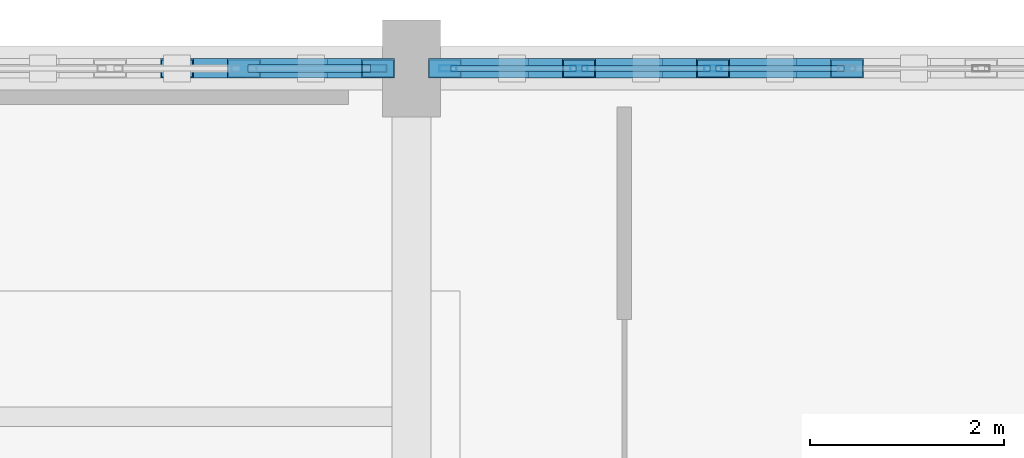
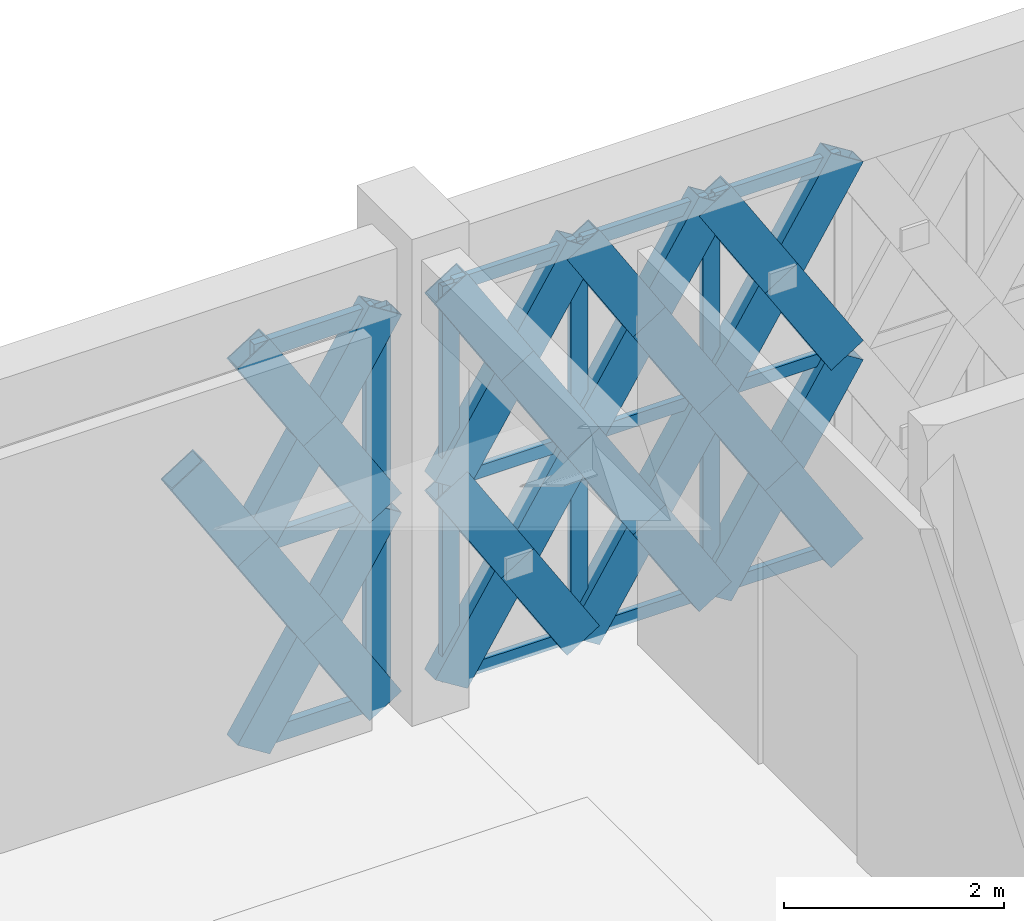
# One storey, part 92 of 166: 41 members, 2 elements without a shape of their own.
"""IFC4 building model written with IfcOpenShell, lengths in metres."""

from ifc_helpers import new_model, si_unit, direction, frame, origin, origin_2d, place, context, subcontext, project, spatial, hollow_rectangle, extrude, material, material_profile, profile_set, type_object, element, aggregate, save


model = new_model("IFC4")

# Units and contexts
model_context = context("Model", 3, precision=1e-05, world=origin(), true_north=direction((0.0, 1.0)))
body_context = subcontext(model_context, "Body", "Model", "MODEL_VIEW")
ifc_project = project(units=[si_unit("LENGTHUNIT", "METRE"), si_unit("AREAUNIT", "SQUARE_METRE"), si_unit("VOLUMEUNIT", "CUBIC_METRE"), si_unit("PLANEANGLEUNIT", "RADIAN"), si_unit("MASSUNIT", "GRAM", prefix="KILO")], contexts=[model_context])

# Site, building, storey
site_placement = place(None, origin())
site = spatial("IfcSite", under=ifc_project, at=site_placement, CompositionType="ELEMENT")
building_placement = place(site_placement, origin())
building = spatial("IfcBuilding", under=site, at=building_placement, Name="Haizhuo Lancet Aquarium", CompositionType="ELEMENT")
storey_placement = place(building_placement, frame((0.0, 0.0, 5.39990234375)))
storey = spatial("IfcBuildingStorey", under=building, at=storey_placement, Name="L01", CompositionType="ELEMENT", Elevation=5.39990234375)

# Curtain wall, members
ifc_material_1 = material(Name="Aluminium 6063-T6", Category="aluminium")
curtain_wall_type = type_object("IfcCurtainWallType", Name="CWD-8310x4390", PredefinedType="NOTDEFINED", material=ifc_material_1)
curtain_wall_1_placement = place(storey_placement, origin())
curtain_wall_1 = element("IfcCurtainWall", 1, at=curtain_wall_1_placement, inside=storey, type_object=curtain_wall_type, Name="L01 curtain wall CW-V5-L01-133", PredefinedType="NOTDEFINED")
ifc_material_profile_1 = material_profile(ifc_material_1, hollow_rectangle(XDim=0.06494140625, YDim=0.179931640625, WallThickness=0.00390625, at=origin_2d()), Name="ALU-M 65x180x4")
ifc_profile_set_1 = profile_set([ifc_material_profile_1], Name="Aluminium 6063-T6")
member_type_1 = type_object("IfcMemberType", Name="CW-MUL-1", PredefinedType="MULLION", material=ifc_profile_set_1)
member_1_placement = place(storey_placement, frame((9.3779296875, 55.800048828125, 0.0), z_axis=(0.0, 0.0, 1.0), x_axis=(0.0, 1.0, 0.0)))
member_1 = element("IfcMember", 2, at=member_1_placement, type_object=member_type_1, Name="CWD-83x43 mullion 1", PredefinedType="MULLION", context=body_context, shape_type="SweptSolid", body=[
    extrude(hollow_rectangle(XDim=0.06494140625, YDim=0.179931640625, WallThickness=0.00390625, at=origin_2d()), origin(), (0.0, 0.0, 1.0), 4.39013671875),
])
member_2_placement = place(storey_placement, frame((10.72998046875, 55.800048828125, 0.0), z_axis=(0.0, 0.0, 1.0), x_axis=(0.0, 1.0, 0.0)))
member_2 = element("IfcMember", 3, at=member_2_placement, type_object=member_type_1, Name="CWD-83x43 mullion 2", PredefinedType="MULLION", context=body_context, shape_type="SweptSolid", body=[
    extrude(hollow_rectangle(XDim=0.06494140625, YDim=0.179931640625, WallThickness=0.00390625, at=origin_2d()), origin(), (0.0, 0.0, 1.0), 4.39013671875),
])
member_3_placement = place(storey_placement, frame((12.114990234375, 55.800048828125, 0.0), z_axis=(0.0, 0.0, 1.0), x_axis=(0.0, 1.0, 0.0)))
member_3 = element("IfcMember", 4, at=member_3_placement, type_object=member_type_1, Name="CWD-83x43 mullion 3", PredefinedType="MULLION", context=body_context, shape_type="SweptSolid", body=[
    extrude(hollow_rectangle(XDim=0.06494140625, YDim=0.179931640625, WallThickness=0.00390625, at=origin_2d()), origin(), (0.0, 0.0, 1.0), 4.39013671875),
])

# Curtain wall, member
curtain_wall_2_placement = place(storey_placement, origin())
curtain_wall_2 = element("IfcCurtainWall", 5, at=curtain_wall_2_placement, inside=storey, type_object=curtain_wall_type, Name="L01 curtain wall CW-V5-L01-132", PredefinedType="NOTDEFINED")
ifc_material_profile_2 = material_profile(ifc_material_1, hollow_rectangle(XDim=0.080078125, YDim=0.260009765625, WallThickness=0.0048828125, at=origin_2d()), Name="ALU-M 80x260x5")
ifc_profile_set_2 = profile_set([ifc_material_profile_2], Name="Aluminium 6063-T6")
member_type_2 = type_object("IfcMemberType", Name="CW-MUL-3", PredefinedType="MULLION", material=ifc_profile_set_2)
member_4_placement = place(storey_placement, frame((8.614990234375, 55.800048828125, 0.0), z_axis=(0.0, 0.0, 1.0), x_axis=(0.0, 1.0, 0.0)))
member_4 = element("IfcMember", 6, at=member_4_placement, type_object=member_type_2, Name="CWD-83x43 mullion 7", PredefinedType="MULLION", context=body_context, shape_type="SweptSolid", body=[
    extrude(hollow_rectangle(XDim=0.080078125, YDim=0.260009765625, WallThickness=0.0048828125, at=origin_2d()), origin(), (0.0, 0.0, 1.0), 4.39013671875),
])

# Member
ifc_material_profile_3 = material_profile(ifc_material_1, hollow_rectangle(XDim=0.06494140625, YDim=0.139892578125, WallThickness=0.00390625, at=origin_2d()), Name="ALU-T 65x140x4")
ifc_profile_set_3 = profile_set([ifc_material_profile_3], Name="Aluminium 6063-T6")
member_type_3 = type_object("IfcMemberType", Name="CW-TRN-1", PredefinedType="NOTDEFINED", material=ifc_profile_set_3)
member_5_placement = place(storey_placement, frame((9.409912109375, 55.800048828125, 0.033203125), z_axis=(1.0, 0.0, 0.0), x_axis=(0.0, 1.0, 0.0)))
member_5 = element("IfcMember", 7, at=member_5_placement, type_object=member_type_3, Name="CWD-83x43 transom 1.1", ObjectType="TRANSOM", PredefinedType="USERDEFINED", context=body_context, shape_type="SweptSolid", body=[
    extrude(hollow_rectangle(XDim=0.06494140625, YDim=0.139892578125, WallThickness=0.00390625, at=origin_2d()), origin(), (0.0, 0.0, 1.0), 1.2880859375),
])

member_6_placement = place(storey_placement, frame((9.409912109375, 55.800048828125, 2.195068359375), z_axis=(1.0, 0.0, 0.0), x_axis=(0.0, 1.0, 0.0)))
member_6 = element("IfcMember", 8, at=member_6_placement, type_object=member_type_3, Name="CWD-83x43 transom 1.2", ObjectType="TRANSOM", PredefinedType="USERDEFINED", context=body_context, shape_type="SweptSolid", body=[
    extrude(hollow_rectangle(XDim=0.06494140625, YDim=0.139892578125, WallThickness=0.00390625, at=origin_2d()), origin(), (0.0, 0.0, 1.0), 1.2880859375),
])

member_7_placement = place(storey_placement, frame((9.409912109375, 55.800048828125, 4.357177734375), z_axis=(1.0, 0.0, 0.0), x_axis=(0.0, 1.0, 0.0)))
member_7 = element("IfcMember", 9, at=member_7_placement, type_object=member_type_3, Name="CWD-83x43 transom 1.3", ObjectType="TRANSOM", PredefinedType="USERDEFINED", context=body_context, shape_type="SweptSolid", body=[
    extrude(hollow_rectangle(XDim=0.06494140625, YDim=0.139892578125, WallThickness=0.00390625, at=origin_2d()), origin(), (0.0, 0.0, 1.0), 1.2880859375),
])

member_8_placement = place(storey_placement, frame((10.762939453125, 55.800048828125, 0.033203125), z_axis=(1.0, 0.0, 0.0), x_axis=(0.0, 1.0, 0.0)))
member_8 = element("IfcMember", 10, at=member_8_placement, type_object=member_type_3, Name="CWD-83x43 transom 2.1", ObjectType="TRANSOM", PredefinedType="USERDEFINED", context=body_context, shape_type="SweptSolid", body=[
    extrude(hollow_rectangle(XDim=0.06494140625, YDim=0.139892578125, WallThickness=0.00390625, at=origin_2d()), origin(), (0.0, 0.0, 1.0), 1.319091796875),
])

member_9_placement = place(storey_placement, frame((10.762939453125, 55.800048828125, 2.195068359375), z_axis=(1.0, 0.0, 0.0), x_axis=(0.0, 1.0, 0.0)))
member_9 = element("IfcMember", 11, at=member_9_placement, type_object=member_type_3, Name="CWD-83x43 transom 2.2", ObjectType="TRANSOM", PredefinedType="USERDEFINED", context=body_context, shape_type="SweptSolid", body=[
    extrude(hollow_rectangle(XDim=0.06494140625, YDim=0.139892578125, WallThickness=0.00390625, at=origin_2d()), origin(), (0.0, 0.0, 1.0), 1.319091796875),
])

member_10_placement = place(storey_placement, frame((10.762939453125, 55.800048828125, 4.357177734375), z_axis=(1.0, 0.0, 0.0), x_axis=(0.0, 1.0, 0.0)))
member_10 = element("IfcMember", 12, at=member_10_placement, type_object=member_type_3, Name="CWD-83x43 transom 2.3", ObjectType="TRANSOM", PredefinedType="USERDEFINED", context=body_context, shape_type="SweptSolid", body=[
    extrude(hollow_rectangle(XDim=0.06494140625, YDim=0.139892578125, WallThickness=0.00390625, at=origin_2d()), origin(), (0.0, 0.0, 1.0), 1.319091796875),
])

member_11_placement = place(storey_placement, frame((12.14794921875, 55.800048828125, 0.033203125), z_axis=(1.0, 0.0, 0.0), x_axis=(0.0, 1.0, 0.0)))
member_11 = element("IfcMember", 13, at=member_11_placement, type_object=member_type_3, Name="CWD-83x43 transom 3.1", ObjectType="TRANSOM", PredefinedType="USERDEFINED", context=body_context, shape_type="SweptSolid", body=[
    extrude(hollow_rectangle(XDim=0.06494140625, YDim=0.139892578125, WallThickness=0.00390625, at=origin_2d()), origin(), (0.0, 0.0, 1.0), 1.320068359375),
])

member_12_placement = place(storey_placement, frame((12.14794921875, 55.800048828125, 2.195068359375), z_axis=(1.0, 0.0, 0.0), x_axis=(0.0, 1.0, 0.0)))
member_12 = element("IfcMember", 14, at=member_12_placement, type_object=member_type_3, Name="CWD-83x43 transom 3.2", ObjectType="TRANSOM", PredefinedType="USERDEFINED", context=body_context, shape_type="SweptSolid", body=[
    extrude(hollow_rectangle(XDim=0.06494140625, YDim=0.139892578125, WallThickness=0.00390625, at=origin_2d()), origin(), (0.0, 0.0, 1.0), 1.320068359375),
])

member_13_placement = place(storey_placement, frame((12.14794921875, 55.800048828125, 4.357177734375), z_axis=(1.0, 0.0, 0.0), x_axis=(0.0, 1.0, 0.0)))
member_13 = element("IfcMember", 15, at=member_13_placement, type_object=member_type_3, Name="CWD-83x43 transom 3.3", ObjectType="TRANSOM", PredefinedType="USERDEFINED", context=body_context, shape_type="SweptSolid", body=[
    extrude(hollow_rectangle(XDim=0.06494140625, YDim=0.139892578125, WallThickness=0.00390625, at=origin_2d()), origin(), (0.0, 0.0, 1.0), 1.320068359375),
])

aggregate(curtain_wall_1, [member_1, member_2, member_3, member_5, member_6, member_7, member_8, member_9, member_10, member_11, member_12, member_13])

ifc_material_profile_4 = material_profile(ifc_material_1, hollow_rectangle(XDim=0.080078125, YDim=0.18994140625, WallThickness=0.0048828125, at=origin_2d()), Name="ALU-T 80x190x5")
ifc_profile_set_4 = profile_set([ifc_material_profile_4], Name="Aluminium 6063-T6")
member_type_4 = type_object("IfcMemberType", Name="CW-TRN-3", PredefinedType="NOTDEFINED", material=ifc_profile_set_4)
member_14_placement = place(storey_placement, frame((7.31005859375, 55.800048828125, 0.0400390625), z_axis=(1.0, 0.0, 0.0), x_axis=(0.0, 1.0, 0.0)))
member_14 = element("IfcMember", 16, at=member_14_placement, type_object=member_type_4, Name="CWD-83x43 transom 6.1", ObjectType="TRANSOM", PredefinedType="USERDEFINED", context=body_context, shape_type="SweptSolid", body=[
    extrude(hollow_rectangle(XDim=0.080078125, YDim=0.18994140625, WallThickness=0.0048828125, at=origin_2d()), origin(), (0.0, 0.0, 1.0), 1.264892578125),
])

member_15_placement = place(storey_placement, frame((7.31005859375, 55.800048828125, 2.195068359375), z_axis=(1.0, 0.0, 0.0), x_axis=(0.0, 1.0, 0.0)))
member_15 = element("IfcMember", 17, at=member_15_placement, type_object=member_type_4, Name="CWD-83x43 transom 6.2", ObjectType="TRANSOM", PredefinedType="USERDEFINED", context=body_context, shape_type="SweptSolid", body=[
    extrude(hollow_rectangle(XDim=0.080078125, YDim=0.18994140625, WallThickness=0.0048828125, at=origin_2d()), origin(), (0.0, 0.0, 1.0), 1.264892578125),
])

member_16_placement = place(storey_placement, frame((7.31005859375, 55.800048828125, 4.35009765625), z_axis=(1.0, 0.0, 0.0), x_axis=(0.0, 1.0, 0.0)))
member_16 = element("IfcMember", 18, at=member_16_placement, type_object=member_type_4, Name="CWD-83x43 transom 6.3", ObjectType="TRANSOM", PredefinedType="USERDEFINED", context=body_context, shape_type="SweptSolid", body=[
    extrude(hollow_rectangle(XDim=0.080078125, YDim=0.18994140625, WallThickness=0.0048828125, at=origin_2d()), origin(), (0.0, 0.0, 1.0), 1.264892578125),
])

aggregate(curtain_wall_2, [member_4, member_14, member_15, member_16])

# Members
ifc_material_2 = material(Name="Steel S355", Category="steel")
ifc_material_profile_5 = material_profile(ifc_material_2, hollow_rectangle(XDim=0.199951171875, YDim=0.39990234375, WallThickness=0.011962890625, at=origin_2d()), Name="RHS 200x400x12")
ifc_profile_set_5 = profile_set([ifc_material_profile_5], Name="Steel S355")
member_type_5 = type_object("IfcMemberType", Name="MEM-LB-RHS200x400", PredefinedType="BRACE", material=ifc_profile_set_5)
member_17_placement = place(storey_placement, frame((7.27001953125, 55.800048828125, 2.195068359375), z_axis=(-0.534169956473, 0.0, 0.845377109698), x_axis=(0.0, -1.0, 0.0)))
element("IfcMember", 19, at=member_17_placement, inside=storey, type_object=member_type_5, Name="Gothic lancet split diagonal brace CW-V5-L01-132 10B1", PredefinedType="BRACE", context=body_context, shape_type="SweptSolid", body=[
    extrude(hollow_rectangle(XDim=0.199951171875, YDim=0.39990234375, WallThickness=0.011962890625, at=origin_2d()), origin(), (0.0, 0.0, 1.0), 1.297607421875),
])
member_18_placement = place(storey_placement, frame((7.27001953125, 55.800048828125, 0.0), z_axis=(0.533621343044, 0.0, 0.845723514068), x_axis=(0.0, 1.0, 0.0)))
element("IfcMember", 20, at=member_18_placement, inside=storey, type_object=member_type_5, Name="Gothic lancet continuous diagonal brace CW-V5-L01-132 11A", PredefinedType="BRACE", context=body_context, shape_type="SweptSolid", body=[
    extrude(hollow_rectangle(XDim=0.199951171875, YDim=0.39990234375, WallThickness=0.011962890625, at=origin_2d()), origin(), (0.0, 0.0, 1.0), 2.595458984375),
])
member_19_placement = place(storey_placement, frame((8.655029296875, 55.800048828125, 0.0), z_axis=(-0.533745397925, 0.0, 0.845645227146), x_axis=(0.0, -1.0, 0.0)))
element("IfcMember", 21, at=member_19_placement, inside=storey, type_object=member_type_5, Name="Gothic lancet split diagonal brace CW-V5-L01-132 11B1", PredefinedType="BRACE", context=body_context, shape_type="SweptSolid", body=[
    extrude(hollow_rectangle(XDim=0.199951171875, YDim=0.39990234375, WallThickness=0.011962890625, at=origin_2d()), origin(), (0.0, 0.0, 1.0), 1.298583984375),
])
member_20_placement = place(storey_placement, frame((7.9619140625, 55.800048828125, 1.09814453125), z_axis=(-0.533497115598, 0.0, 0.845801884397), x_axis=(0.0, -1.0, 0.0)))
element("IfcMember", 22, at=member_20_placement, inside=storey, type_object=member_type_5, Name="Gothic lancet split diagonal brace CW-V5-L01-132 11B2", PredefinedType="BRACE", context=body_context, shape_type="SweptSolid", body=[
    extrude(hollow_rectangle(XDim=0.199951171875, YDim=0.39990234375, WallThickness=0.011962890625, at=origin_2d()), origin(), (0.0, 0.0, 1.0), 1.296875),
])
member_21_placement = place(storey_placement, frame((7.27001953125, 55.800048828125, 2.195068359375), z_axis=(0.533621343044, 0.0, 0.845723514068), x_axis=(0.0, 1.0, 0.0)))
element("IfcMember", 23, at=member_21_placement, inside=storey, type_object=member_type_5, Name="Gothic lancet continuous diagonal brace CW-V5-L01-132 12A", PredefinedType="BRACE", context=body_context, shape_type="SweptSolid", body=[
    extrude(hollow_rectangle(XDim=0.199951171875, YDim=0.39990234375, WallThickness=0.011962890625, at=origin_2d()), origin(), (0.0, 0.0, 1.0), 2.595458984375),
])
member_22_placement = place(storey_placement, frame((8.655029296875, 55.800048828125, 2.195068359375), z_axis=(-0.534169956473, 0.0, 0.845377109698), x_axis=(0.0, -1.0, 0.0)))
element("IfcMember", 24, at=member_22_placement, inside=storey, type_object=member_type_5, Name="Gothic lancet split diagonal brace CW-V5-L01-132 12B1", PredefinedType="BRACE", context=body_context, shape_type="SweptSolid", body=[
    extrude(hollow_rectangle(XDim=0.199951171875, YDim=0.39990234375, WallThickness=0.011962890625, at=origin_2d()), origin(), (0.0, 0.0, 1.0), 1.297607421875),
])
member_23_placement = place(storey_placement, frame((7.9619140625, 55.800048828125, 3.2919921875), z_axis=(-0.533072666109, 0.0, 0.846069460888), x_axis=(0.0, -1.0, 0.0)))
element("IfcMember", 25, at=member_23_placement, inside=storey, type_object=member_type_5, Name="Gothic lancet split diagonal brace CW-V5-L01-132 12B2", PredefinedType="BRACE", context=body_context, shape_type="SweptSolid", body=[
    extrude(hollow_rectangle(XDim=0.199951171875, YDim=0.39990234375, WallThickness=0.011962890625, at=origin_2d()), origin(), (0.0, 0.0, 1.0), 1.2978515625),
])
member_24_placement = place(storey_placement, frame((9.344970703125, 55.800048828125, 0.0), z_axis=(0.533621343044, 0.0, 0.845723514068), x_axis=(0.0, 1.0, 0.0)))
element("IfcMember", 26, at=member_24_placement, inside=storey, type_object=member_type_5, Name="Gothic lancet continuous diagonal brace CW-V5-L01-133 1A", PredefinedType="BRACE", context=body_context, shape_type="SweptSolid", body=[
    extrude(hollow_rectangle(XDim=0.199951171875, YDim=0.39990234375, WallThickness=0.011962890625, at=origin_2d()), origin(), (0.0, 0.0, 1.0), 2.595458984375),
])
member_25_placement = place(storey_placement, frame((10.72998046875, 55.800048828125, 0.0), z_axis=(-0.533072666109, 0.0, 0.846069460888), x_axis=(0.0, -1.0, 0.0)))
element("IfcMember", 27, at=member_25_placement, inside=storey, type_object=member_type_5, Name="Gothic lancet split diagonal brace CW-V5-L01-133 1B1", PredefinedType="BRACE", context=body_context, shape_type="SweptSolid", body=[
    extrude(hollow_rectangle(XDim=0.199951171875, YDim=0.39990234375, WallThickness=0.011962890625, at=origin_2d()), origin(), (0.0, 0.0, 1.0), 1.2978515625),
])
member_26_placement = place(storey_placement, frame((10.0380859375, 55.800048828125, 1.09814453125), z_axis=(-0.534169956473, 0.0, 0.845377109698), x_axis=(0.0, -1.0, 0.0)))
element("IfcMember", 28, at=member_26_placement, inside=storey, type_object=member_type_5, Name="Gothic lancet split diagonal brace CW-V5-L01-133 1B2", PredefinedType="BRACE", context=body_context, shape_type="SweptSolid", body=[
    extrude(hollow_rectangle(XDim=0.199951171875, YDim=0.39990234375, WallThickness=0.011962890625, at=origin_2d()), origin(), (0.0, 0.0, 1.0), 1.297607421875),
])
member_27_placement = place(storey_placement, frame((9.344970703125, 55.800048828125, 2.195068359375), z_axis=(0.533621343044, 0.0, 0.845723514068), x_axis=(0.0, 1.0, 0.0)))
element("IfcMember", 29, at=member_27_placement, inside=storey, type_object=member_type_5, Name="Gothic lancet continuous diagonal brace CW-V5-L01-133 2A", PredefinedType="BRACE", context=body_context, shape_type="SweptSolid", body=[
    extrude(hollow_rectangle(XDim=0.199951171875, YDim=0.39990234375, WallThickness=0.011962890625, at=origin_2d()), origin(), (0.0, 0.0, 1.0), 2.595458984375),
])
member_28_placement = place(storey_placement, frame((10.72998046875, 55.800048828125, 2.195068359375), z_axis=(-0.533497115598, 0.0, 0.845801884397), x_axis=(0.0, -1.0, 0.0)))
element("IfcMember", 30, at=member_28_placement, inside=storey, type_object=member_type_5, Name="Gothic lancet split diagonal brace CW-V5-L01-133 2B1", PredefinedType="BRACE", context=body_context, shape_type="SweptSolid", body=[
    extrude(hollow_rectangle(XDim=0.199951171875, YDim=0.39990234375, WallThickness=0.011962890625, at=origin_2d()), origin(), (0.0, 0.0, 1.0), 1.296875),
])
member_29_placement = place(storey_placement, frame((10.0380859375, 55.800048828125, 3.2919921875), z_axis=(-0.533745397925, 0.0, 0.845645227146), x_axis=(0.0, -1.0, 0.0)))
element("IfcMember", 31, at=member_29_placement, inside=storey, type_object=member_type_5, Name="Gothic lancet split diagonal brace CW-V5-L01-133 2B2", PredefinedType="BRACE", context=body_context, shape_type="SweptSolid", body=[
    extrude(hollow_rectangle(XDim=0.199951171875, YDim=0.39990234375, WallThickness=0.011962890625, at=origin_2d()), origin(), (0.0, 0.0, 1.0), 1.298583984375),
])
member_30_placement = place(storey_placement, frame((10.72998046875, 55.800048828125, 0.0), z_axis=(0.533621343044, 0.0, 0.845723514068), x_axis=(0.0, 1.0, 0.0)))
element("IfcMember", 32, at=member_30_placement, inside=storey, type_object=member_type_5, Name="Gothic lancet continuous diagonal brace CW-V5-L01-133 3A", PredefinedType="BRACE", context=body_context, shape_type="SweptSolid", body=[
    extrude(hollow_rectangle(XDim=0.199951171875, YDim=0.39990234375, WallThickness=0.011962890625, at=origin_2d()), origin(), (0.0, 0.0, 1.0), 2.595458984375),
])
member_31_placement = place(storey_placement, frame((12.114990234375, 55.800048828125, 0.0), z_axis=(-0.533610932533, 0.0, 0.84573008264), x_axis=(0.0, -1.0, 0.0)))
element("IfcMember", 33, at=member_31_placement, inside=storey, type_object=member_type_5, Name="Gothic lancet split diagonal brace CW-V5-L01-133 3B1", PredefinedType="BRACE", context=body_context, shape_type="SweptSolid", body=[
    extrude(hollow_rectangle(XDim=0.199951171875, YDim=0.39990234375, WallThickness=0.011962890625, at=origin_2d()), origin(), (0.0, 0.0, 1.0), 1.29833984375),
])
member_32_placement = place(storey_placement, frame((11.422119140625, 55.800048828125, 1.09814453125), z_axis=(-0.533631764898, 0.0, 0.845716938161), x_axis=(0.0, -1.0, 0.0)))
element("IfcMember", 34, at=member_32_placement, inside=storey, type_object=member_type_5, Name="Gothic lancet split diagonal brace CW-V5-L01-133 3B2", PredefinedType="BRACE", context=body_context, shape_type="SweptSolid", body=[
    extrude(hollow_rectangle(XDim=0.199951171875, YDim=0.39990234375, WallThickness=0.011962890625, at=origin_2d()), origin(), (0.0, 0.0, 1.0), 1.297119140625),
])
member_33_placement = place(storey_placement, frame((10.72998046875, 55.800048828125, 2.195068359375), z_axis=(0.533621343044, 0.0, 0.845723514068), x_axis=(0.0, 1.0, 0.0)))
element("IfcMember", 35, at=member_33_placement, inside=storey, type_object=member_type_5, Name="Gothic lancet continuous diagonal brace CW-V5-L01-133 4A", PredefinedType="BRACE", context=body_context, shape_type="SweptSolid", body=[
    extrude(hollow_rectangle(XDim=0.199951171875, YDim=0.39990234375, WallThickness=0.011962890625, at=origin_2d()), origin(), (0.0, 0.0, 1.0), 2.595458984375),
])
member_34_placement = place(storey_placement, frame((12.114990234375, 55.800048828125, 2.195068359375), z_axis=(-0.534035469411, 0.0, 0.845462073313), x_axis=(0.0, -1.0, 0.0)))
element("IfcMember", 36, at=member_34_placement, inside=storey, type_object=member_type_5, Name="Gothic lancet split diagonal brace CW-V5-L01-133 4B1", PredefinedType="BRACE", context=body_context, shape_type="SweptSolid", body=[
    extrude(hollow_rectangle(XDim=0.199951171875, YDim=0.39990234375, WallThickness=0.011962890625, at=origin_2d()), origin(), (0.0, 0.0, 1.0), 1.29736328125),
])
member_35_placement = place(storey_placement, frame((11.422119140625, 55.800048828125, 3.2919921875), z_axis=(-0.533207293455, 0.0, 0.845984622914), x_axis=(0.0, -1.0, 0.0)))
element("IfcMember", 37, at=member_35_placement, inside=storey, type_object=member_type_5, Name="Gothic lancet split diagonal brace CW-V5-L01-133 4B2", PredefinedType="BRACE", context=body_context, shape_type="SweptSolid", body=[
    extrude(hollow_rectangle(XDim=0.199951171875, YDim=0.39990234375, WallThickness=0.011962890625, at=origin_2d()), origin(), (0.0, 0.0, 1.0), 1.298095703125),
])
member_36_placement = place(storey_placement, frame((12.114990234375, 55.800048828125, 0.0), z_axis=(0.533621343044, 0.0, 0.845723514068), x_axis=(0.0, 1.0, 0.0)))
element("IfcMember", 38, at=member_36_placement, inside=storey, type_object=member_type_5, Name="Gothic lancet continuous diagonal brace CW-V5-L01-133 5A", PredefinedType="BRACE", context=body_context, shape_type="SweptSolid", body=[
    extrude(hollow_rectangle(XDim=0.199951171875, YDim=0.39990234375, WallThickness=0.011962890625, at=origin_2d()), origin(), (0.0, 0.0, 1.0), 2.595458984375),
])
member_37_placement = place(storey_placement, frame((13.5, 55.800048828125, 0.0), z_axis=(-0.533072666109, 0.0, 0.846069460888), x_axis=(0.0, -1.0, 0.0)))
element("IfcMember", 39, at=member_37_placement, inside=storey, type_object=member_type_5, Name="Gothic lancet split diagonal brace CW-V5-L01-133 5B1", PredefinedType="BRACE", context=body_context, shape_type="SweptSolid", body=[
    extrude(hollow_rectangle(XDim=0.199951171875, YDim=0.39990234375, WallThickness=0.011962890625, at=origin_2d()), origin(), (0.0, 0.0, 1.0), 1.2978515625),
])
member_38_placement = place(storey_placement, frame((12.80810546875, 55.800048828125, 1.09814453125), z_axis=(-0.534169956473, 0.0, 0.845377109698), x_axis=(0.0, -1.0, 0.0)))
element("IfcMember", 40, at=member_38_placement, inside=storey, type_object=member_type_5, Name="Gothic lancet split diagonal brace CW-V5-L01-133 5B2", PredefinedType="BRACE", context=body_context, shape_type="SweptSolid", body=[
    extrude(hollow_rectangle(XDim=0.199951171875, YDim=0.39990234375, WallThickness=0.011962890625, at=origin_2d()), origin(), (0.0, 0.0, 1.0), 1.297607421875),
])
member_39_placement = place(storey_placement, frame((12.114990234375, 55.800048828125, 2.195068359375), z_axis=(0.533621343044, 0.0, 0.845723514068), x_axis=(0.0, 1.0, 0.0)))
element("IfcMember", 41, at=member_39_placement, inside=storey, type_object=member_type_5, Name="Gothic lancet continuous diagonal brace CW-V5-L01-133 6A", PredefinedType="BRACE", context=body_context, shape_type="SweptSolid", body=[
    extrude(hollow_rectangle(XDim=0.199951171875, YDim=0.39990234375, WallThickness=0.011962890625, at=origin_2d()), origin(), (0.0, 0.0, 1.0), 2.595458984375),
])
member_40_placement = place(storey_placement, frame((13.5, 55.800048828125, 2.195068359375), z_axis=(-0.533497115598, 0.0, 0.845801884397), x_axis=(0.0, -1.0, 0.0)))
element("IfcMember", 42, at=member_40_placement, inside=storey, type_object=member_type_5, Name="Gothic lancet split diagonal brace CW-V5-L01-133 6B1", PredefinedType="BRACE", context=body_context, shape_type="SweptSolid", body=[
    extrude(hollow_rectangle(XDim=0.199951171875, YDim=0.39990234375, WallThickness=0.011962890625, at=origin_2d()), origin(), (0.0, 0.0, 1.0), 1.296875),
])
member_41_placement = place(storey_placement, frame((12.80810546875, 55.800048828125, 3.2919921875), z_axis=(-0.533745397925, 0.0, 0.845645227146), x_axis=(0.0, -1.0, 0.0)))
element("IfcMember", 43, at=member_41_placement, inside=storey, type_object=member_type_5, Name="Gothic lancet split diagonal brace CW-V5-L01-133 6B2", PredefinedType="BRACE", context=body_context, shape_type="SweptSolid", body=[
    extrude(hollow_rectangle(XDim=0.199951171875, YDim=0.39990234375, WallThickness=0.011962890625, at=origin_2d()), origin(), (0.0, 0.0, 1.0), 1.298583984375),
])

save(model, "model.ifc")
